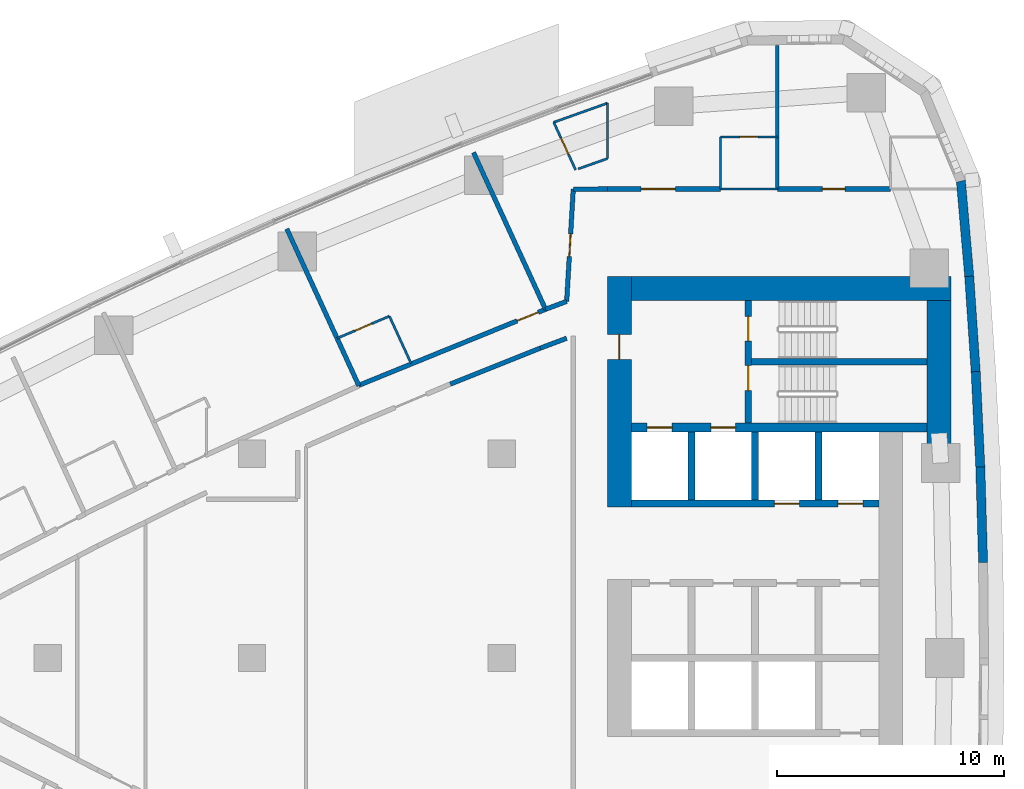
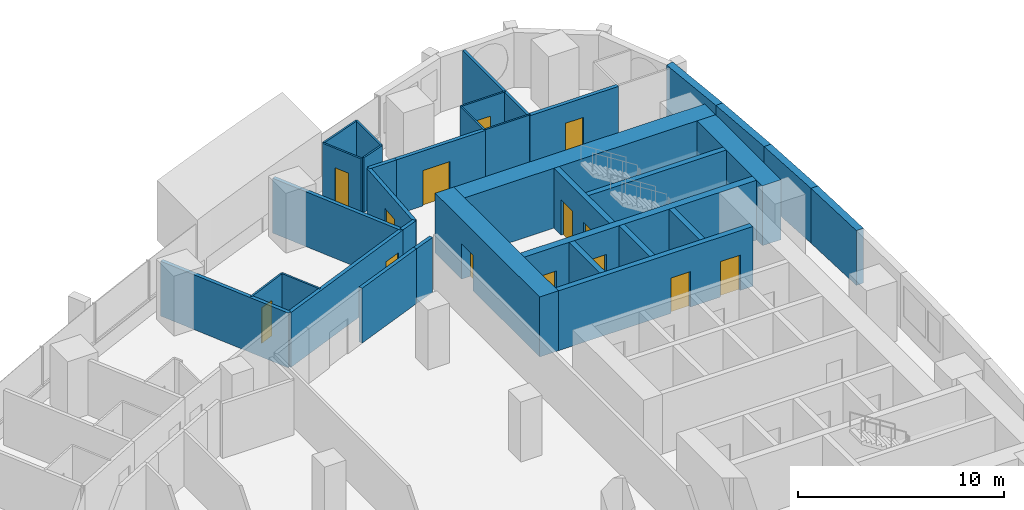
# One storey, part 12 of 17: 34 walls, 14 doors, 14 openings.
"""IFC4 building model written with IfcOpenShell, lengths in metres."""

from ifc_helpers import new_model, si_unit, direction, frame, frame_2d, origin, place, context, subcontext, project, spatial, polyline, rectangle, outline, extrude, material, layer, layer_set, type_object, element, fill, save


model = new_model("IFC4")

# Units and contexts
model_context = context("Model", 3, precision=1e-05, world=origin(), true_north=direction((0.0, 1.0)))
body_context = subcontext(model_context, "Body", "Model", "MODEL_VIEW")
ifc_project = project(units=[si_unit("LENGTHUNIT", "METRE"), si_unit("AREAUNIT", "SQUARE_METRE"), si_unit("VOLUMEUNIT", "CUBIC_METRE"), si_unit("PLANEANGLEUNIT", "RADIAN"), si_unit("MASSUNIT", "GRAM", prefix="KILO")], contexts=[model_context])

# Site, building, storey
site_placement = place(None, origin())
site = spatial("IfcSite", under=ifc_project, at=site_placement, CompositionType="ELEMENT")
building_placement = place(site_placement, origin())
building = spatial("IfcBuilding", under=site, at=building_placement, Name="Ostrand Prow Hotel Tower", CompositionType="ELEMENT")
storey_placement = place(building_placement, frame((0.0, 0.0, 113.300048828125)))
storey = spatial("IfcBuildingStorey", under=building, at=storey_placement, Name="L27", CompositionType="ELEMENT", Elevation=113.300048828125)

# Wall, opening, door
ifc_material_1 = material(Name="Concrete C80/95", Category="concrete")
ifc_layer_1 = layer(ifc_material_1, 1.050048828125)
ifc_layer_set_1 = layer_set([ifc_layer_1], Name="Concrete C80/95")
wall_type_1 = type_object("IfcWallType", Name="Core wall 1050 C80/95", PredefinedType="SHEAR", material=ifc_layer_set_1)
wall_1_placement = place(storey_placement, frame((50.175048828125, 6.64990234375, 0.0), z_axis=(0.0, 0.0, 1.0), x_axis=(0.0, 1.0, 0.0)))
wall_1 = element("IfcWall", 1, at=wall_1_placement, inside=storey, type_object=wall_type_1, Name="Core wall CW-W-N", PredefinedType="SHEAR", context=body_context, shape_type="SweptSolid", body=[
    extrude(rectangle(XDim=10.150146484375, YDim=1.050048828125, at=frame_2d((5.0751953125, 0.0))), origin(), (0.0, 0.0, 1.0), 3.550048828125),
])
opening_1_placement = place(wall_1_placement, frame((6.5, 0.0, 0.0)))
opening_1 = element("IfcOpeningElement", 2, at=opening_1_placement, cuts=wall_1, Name="Opening FD1", PredefinedType="OPENING", context=body_context, shape_type="SweptSolid", body=[
    extrude(rectangle(XDim=1.10009765625, YDim=2.10009765625, at=frame_2d((0.550048828125, 1.050048828125))), frame((0.0, 0.534912109375, 0.0), z_axis=(0.0, -1.0, 0.0), x_axis=(1.0, 0.0, 0.0)), (0.0, 0.0, 1.0), 1.070068359375),
])
ifc_material_2 = material(Name="Steel fire door", Category="steel")
door_type_1 = type_object("IfcDoorType", Name="Fire door 1100 EI120", OperationType="SINGLE_SWING_RIGHT", PredefinedType="DOOR", material=ifc_material_2)
door_1_placement = place(opening_1_placement, origin())
door_1 = element("IfcDoor", 3, at=door_1_placement, inside=storey, type_object=door_type_1, Name="FIRE DOOR", OperationType="SINGLE_SWING_RIGHT", OverallHeight=2.10009765625, OverallWidth=1.10009765625, PredefinedType="DOOR", context=body_context, shape_type="SweptSolid", body=[
    extrude(rectangle(XDim=1.10009765625, YDim=2.10009765625, at=frame_2d((0.550048828125, 1.050048828125))), frame((0.0, 0.02490234375, 0.0), z_axis=(0.0, -1.0, 0.0), x_axis=(1.0, 0.0, 0.0)), (0.0, 0.0, 1.0), 0.050048828125),
])
fill(opening_1, door_1)

# Walls
wall_2_placement = place(storey_placement, frame((50.699951171875, 16.27490234375, 0.0), z_axis=(0.0, 0.0, 1.0), x_axis=(1.0, 0.0, 0.0)))
element("IfcWall", 4, at=wall_2_placement, inside=storey, type_object=wall_type_1, Name="Core wall CW-N", PredefinedType="SHEAR", context=body_context, shape_type="SweptSolid", body=[
    extrude(rectangle(XDim=14.070068359375, YDim=1.050048828125, at=frame_2d((7.03515625, 0.0))), origin(), (0.0, 0.0, 1.0), 3.550048828125),
])
wall_3_placement = place(storey_placement, frame((64.2451171875, 9.388671875, 0.0), z_axis=(0.0, 0.0, 1.0), x_axis=(0.0, 1.0, 0.0)))
element("IfcWall", 5, at=wall_3_placement, inside=storey, type_object=wall_type_1, Name="Core wall CW-E-N", PredefinedType="SHEAR", context=body_context, shape_type="SweptSolid", body=[
    extrude(rectangle(XDim=6.361328125, YDim=1.050048828125, at=frame_2d((3.1806640625, 0.0))), origin(), (0.0, 0.0, 1.0), 3.550048828125),
])

# Wall, openings, doors
ifc_material_3 = material(Name="Concrete C80/95", Category="concrete")
ifc_layer_2 = layer(ifc_material_3, 0.300048828125)
ifc_layer_set_2 = layer_set([ifc_layer_2], Name="Concrete C80/95")
wall_type_2 = type_object("IfcWallType", Name="Core wall 300 C80/95", PredefinedType="SHEAR", material=ifc_layer_set_2)
wall_4_placement = place(storey_placement, frame((50.699951171875, 6.800048828125, 0.0), z_axis=(0.0, 0.0, 1.0), x_axis=(1.0, 0.0, 0.0)))
wall_4 = element("IfcWall", 6, at=wall_4_placement, inside=storey, type_object=wall_type_2, Name="Core wall PW-L2-N", PredefinedType="SHEAR", context=body_context, shape_type="SweptSolid", body=[
    extrude(rectangle(XDim=10.900146484375, YDim=0.300048828125, at=frame_2d((5.4501953125, 0.0))), origin(), (0.0, 0.0, 1.0), 3.550048828125),
])
opening_2_placement = place(wall_4_placement, frame((6.300048828125, 0.0, 0.0)))
opening_2 = element("IfcOpeningElement", 7, at=opening_2_placement, cuts=wall_4, Name="Opening LD", PredefinedType="OPENING", context=body_context, shape_type="SweptSolid", body=[
    extrude(rectangle(XDim=1.10009765625, YDim=2.10009765625, at=frame_2d((0.550048828125, 1.050048828125))), frame((0.0, 0.159912109375, 0.0), z_axis=(0.0, -1.0, 0.0), x_axis=(1.0, 0.0, 0.0)), (0.0, 0.0, 1.0), 0.320068359375),
])
opening_3_placement = place(wall_4_placement, frame((9.10009765625, 0.0, 0.0)))
opening_3 = element("IfcOpeningElement", 8, at=opening_3_placement, cuts=wall_4, Name="Opening LD", PredefinedType="OPENING", context=body_context, shape_type="SweptSolid", body=[
    extrude(rectangle(XDim=1.10009765625, YDim=2.10009765625, at=frame_2d((0.550048828125, 1.050048828125))), frame((0.0, 0.159912109375, 0.0), z_axis=(0.0, -1.0, 0.0), x_axis=(1.0, 0.0, 0.0)), (0.0, 0.0, 1.0), 0.320068359375),
])
ifc_material_4 = material(Name="Stainless steel door", Category="steel")
door_type_2 = type_object("IfcDoorType", Name="Lift landing door 1100", OperationType="DOUBLE_DOOR_SLIDING", PredefinedType="DOOR", material=ifc_material_4)
door_2_placement = place(opening_2_placement, origin())
door_2 = element("IfcDoor", 9, at=door_2_placement, inside=storey, type_object=door_type_2, Name="LIFT LANDING DOOR", OperationType="DOUBLE_DOOR_SLIDING", OverallHeight=2.10009765625, OverallWidth=1.10009765625, PredefinedType="DOOR", context=body_context, shape_type="SweptSolid", body=[
    extrude(rectangle(XDim=1.10009765625, YDim=2.10009765625, at=frame_2d((0.550048828125, 1.050048828125))), frame((0.0, 0.02490234375, 0.0), z_axis=(0.0, -1.0, 0.0), x_axis=(1.0, 0.0, 0.0)), (0.0, 0.0, 1.0), 0.050048828125),
])
fill(opening_2, door_2)
door_3_placement = place(opening_3_placement, origin())
door_3 = element("IfcDoor", 10, at=door_3_placement, inside=storey, type_object=door_type_2, Name="LIFT LANDING DOOR", OperationType="DOUBLE_DOOR_SLIDING", OverallHeight=2.10009765625, OverallWidth=1.10009765625, PredefinedType="DOOR", context=body_context, shape_type="SweptSolid", body=[
    extrude(rectangle(XDim=1.10009765625, YDim=2.10009765625, at=frame_2d((0.550048828125, 1.050048828125))), frame((0.0, 0.02490234375, 0.0), z_axis=(0.0, -1.0, 0.0), x_axis=(1.0, 0.0, 0.0)), (0.0, 0.0, 1.0), 0.050048828125),
])
fill(opening_3, door_3)

# Walls
for number, where, z_axis, x_axis, name in (
    (11, (53.35009765625, 6.949951171875, 0.0), (0.0, 0.0, 1.0), (0.0, 1.0, 0.0), "Core wall PW-R1-NA"),
    (12, (56.14990234375, 6.949951171875, 0.0), (0.0, 0.0, 1.0), (0.0, 1.0, 0.0), "Core wall PW-R2-NA"),
    (13, (58.949951171875, 6.949951171875, 0.0), (0.0, 0.0, 1.0), (0.0, 1.0, 0.0), "Core wall PW-R3-NA"),
):
    element("IfcWall", number, at=place(storey_placement, frame(where, z_axis=z_axis, x_axis=x_axis)), inside=storey, type_object=wall_type_2, Name=name, PredefinedType="SHEAR", context=body_context, shape_type="SweptSolid", body=[
        extrude(rectangle(XDim=3.0, YDim=0.300048828125, at=frame_2d((1.5, 0.0))), origin(), (0.0, 0.0, 1.0), 3.550048828125),
    ])

# Wall, openings, doors
wall_5_placement = place(storey_placement, frame((55.85009765625, 10.35009765625, 0.0), z_axis=(0.0, 0.0, 1.0), x_axis=(0.0, 1.0, 0.0)))
wall_5 = element("IfcWall", 14, at=wall_5_placement, inside=storey, type_object=wall_type_2, Name="Core wall PW-VN", PredefinedType="SHEAR", context=body_context, shape_type="SweptSolid", body=[
    extrude(rectangle(XDim=5.39990234375, YDim=0.300048828125, at=frame_2d((2.699951171875, 0.0))), origin(), (0.0, 0.0, 1.0), 3.550048828125),
])
opening_4_placement = place(wall_5_placement, frame((1.429931640625, 0.0, 0.0)))
opening_4 = element("IfcOpeningElement", 15, at=opening_4_placement, cuts=wall_5, Name="Opening FD1", PredefinedType="OPENING", context=body_context, shape_type="SweptSolid", body=[
    extrude(rectangle(XDim=1.10009765625, YDim=2.10009765625, at=frame_2d((0.550048828125, 1.050048828125))), frame((0.0, 0.159912109375, 0.0), z_axis=(0.0, -1.0, 0.0), x_axis=(1.0, 0.0, 0.0)), (0.0, 0.0, 1.0), 0.320068359375),
])
opening_5_placement = place(wall_5_placement, frame((3.60009765625, 0.0, 0.0)))
opening_5 = element("IfcOpeningElement", 16, at=opening_5_placement, cuts=wall_5, Name="Opening FD1", PredefinedType="OPENING", context=body_context, shape_type="SweptSolid", body=[
    extrude(rectangle(XDim=1.10009765625, YDim=2.10009765625, at=frame_2d((0.550048828125, 1.050048828125))), frame((0.0, 0.159912109375, 0.0), z_axis=(0.0, -1.0, 0.0), x_axis=(1.0, 0.0, 0.0)), (0.0, 0.0, 1.0), 0.320068359375),
])
door_4_placement = place(opening_4_placement, origin())
door_4 = element("IfcDoor", 17, at=door_4_placement, inside=storey, type_object=door_type_1, Name="FIRE DOOR", OperationType="SINGLE_SWING_RIGHT", OverallHeight=2.10009765625, OverallWidth=1.10009765625, PredefinedType="DOOR", context=body_context, shape_type="SweptSolid", body=[
    extrude(rectangle(XDim=1.10009765625, YDim=2.10009765625, at=frame_2d((0.550048828125, 1.050048828125))), frame((0.0, 0.02490234375, 0.0), z_axis=(0.0, -1.0, 0.0), x_axis=(1.0, 0.0, 0.0)), (0.0, 0.0, 1.0), 0.050048828125),
])
fill(opening_4, door_4)
door_5_placement = place(opening_5_placement, origin())
door_5 = element("IfcDoor", 18, at=door_5_placement, inside=storey, type_object=door_type_1, Name="FIRE DOOR", OperationType="SINGLE_SWING_RIGHT", OverallHeight=2.10009765625, OverallWidth=1.10009765625, PredefinedType="DOOR", context=body_context, shape_type="SweptSolid", body=[
    extrude(rectangle(XDim=1.10009765625, YDim=2.10009765625, at=frame_2d((0.550048828125, 1.050048828125))), frame((0.0, 0.02490234375, 0.0), z_axis=(0.0, -1.0, 0.0), x_axis=(1.0, 0.0, 0.0)), (0.0, 0.0, 1.0), 0.050048828125),
])
fill(opening_5, door_5)

# Wall
wall_6_placement = place(storey_placement, frame((56.0, 13.050048828125, 0.0), z_axis=(0.0, 0.0, 1.0), x_axis=(1.0, 0.0, 0.0)))
element("IfcWall", 19, at=wall_6_placement, inside=storey, type_object=wall_type_2, Name="Core wall PW-ST13", PredefinedType="SHEAR", context=body_context, shape_type="SweptSolid", body=[
    extrude(rectangle(XDim=7.719970703125, YDim=0.300048828125, at=frame_2d((3.85986328125, 0.0))), origin(), (0.0, 0.0, 1.0), 3.550048828125),
])

# Wall, openings, doors
ifc_material_5 = material(Name="Concrete C80/95", Category="concrete")
ifc_layer_3 = layer(ifc_material_5, 0.39990234375)
ifc_layer_set_3 = layer_set([ifc_layer_3], Name="Concrete C80/95")
wall_type_3 = type_object("IfcWallType", Name="Core wall 400 C80/95", PredefinedType="SHEAR", material=ifc_layer_set_3)
wall_7_placement = place(storey_placement, frame((50.699951171875, 10.14990234375, 0.0), z_axis=(0.0, 0.0, 1.0), x_axis=(1.0, 0.0, 0.0)))
wall_7 = element("IfcWall", 20, at=wall_7_placement, inside=storey, type_object=wall_type_3, Name="Core wall PW-BN", PredefinedType="SHEAR", context=body_context, shape_type="SweptSolid", body=[
    extrude(rectangle(XDim=13.02001953125, YDim=0.39990234375, at=frame_2d((6.510009765625, 0.0))), origin(), (0.0, 0.0, 1.0), 3.550048828125),
])
opening_6_placement = place(wall_7_placement, frame((0.699951171875, 0.0, 0.0)))
opening_6 = element("IfcOpeningElement", 21, at=opening_6_placement, cuts=wall_7, Name="Opening LD", PredefinedType="OPENING", context=body_context, shape_type="SweptSolid", body=[
    extrude(rectangle(XDim=1.10009765625, YDim=2.10009765625, at=frame_2d((0.550048828125, 1.050048828125))), frame((0.0, 0.2099609375, 0.0), z_axis=(0.0, -1.0, 0.0), x_axis=(1.0, 0.0, 0.0)), (0.0, 0.0, 1.0), 0.419921875),
])
opening_7_placement = place(wall_7_placement, frame((3.5, 0.0, 0.0)))
opening_7 = element("IfcOpeningElement", 22, at=opening_7_placement, cuts=wall_7, Name="Opening LD", PredefinedType="OPENING", context=body_context, shape_type="SweptSolid", body=[
    extrude(rectangle(XDim=1.10009765625, YDim=2.10009765625, at=frame_2d((0.550048828125, 1.050048828125))), frame((0.0, 0.2099609375, 0.0), z_axis=(0.0, -1.0, 0.0), x_axis=(1.0, 0.0, 0.0)), (0.0, 0.0, 1.0), 0.419921875),
])
door_6_placement = place(opening_6_placement, origin())
door_6 = element("IfcDoor", 23, at=door_6_placement, inside=storey, type_object=door_type_2, Name="LIFT LANDING DOOR", OperationType="DOUBLE_DOOR_SLIDING", OverallHeight=2.10009765625, OverallWidth=1.10009765625, PredefinedType="DOOR", context=body_context, shape_type="SweptSolid", body=[
    extrude(rectangle(XDim=1.10009765625, YDim=2.10009765625, at=frame_2d((0.550048828125, 1.050048828125))), frame((0.0, 0.02490234375, 0.0), z_axis=(0.0, -1.0, 0.0), x_axis=(1.0, 0.0, 0.0)), (0.0, 0.0, 1.0), 0.050048828125),
])
fill(opening_6, door_6)
door_7_placement = place(opening_7_placement, origin())
door_7 = element("IfcDoor", 24, at=door_7_placement, inside=storey, type_object=door_type_2, Name="LIFT LANDING DOOR", OperationType="DOUBLE_DOOR_SLIDING", OverallHeight=2.10009765625, OverallWidth=1.10009765625, PredefinedType="DOOR", context=body_context, shape_type="SweptSolid", body=[
    extrude(rectangle(XDim=1.10009765625, YDim=2.10009765625, at=frame_2d((0.550048828125, 1.050048828125))), frame((0.0, 0.02490234375, 0.0), z_axis=(0.0, -1.0, 0.0), x_axis=(1.0, 0.0, 0.0)), (0.0, 0.0, 1.0), 0.050048828125),
])
fill(opening_7, door_7)

# Wall
ifc_material_6 = material(Name="Plasterboard partition")
ifc_layer_4 = layer(ifc_material_6, 0.10009765625)
ifc_layer_set_4 = layer_set([ifc_layer_4], Name="Plasterboard partition")
wall_type_4 = type_object("IfcWallType", Name="Partition 100 bathroom wall", PredefinedType="PARTITIONING", material=ifc_layer_set_4)
wall_8_placement = place(storey_placement, frame((54.630615234375, 20.64990234375, 0.0), z_axis=(0.0, 0.0, 1.0), x_axis=(0.0, 1.0, 0.0)))
element("IfcWall", 25, at=wall_8_placement, inside=storey, type_object=wall_type_4, Name="BATHROOM WALL", PredefinedType="PARTITIONING", context=body_context, shape_type="SweptSolid", body=[
    extrude(rectangle(XDim=2.300048828125, YDim=0.10009765625, at=frame_2d((1.14990234375, 0.0))), origin(), (0.0, 0.0, 1.0), 3.25),
])

# Wall, opening, door
wall_9_placement = place(storey_placement, frame((54.630615234375, 22.949951171875, 0.0), z_axis=(0.0, 0.0, 1.0), x_axis=(1.0, 0.0, 0.0)))
wall_9 = element("IfcWall", 26, at=wall_9_placement, inside=storey, type_object=wall_type_4, Name="BATHROOM WALL", PredefinedType="PARTITIONING", context=body_context, shape_type="SweptSolid", body=[
    extrude(rectangle(XDim=2.5, YDim=0.10009765625, at=frame_2d((1.25, 0.0))), origin(), (0.0, 0.0, 1.0), 3.25),
])
opening_8_placement = place(wall_9_placement, frame((0.85009765625, 0.0, 0.0)))
opening_8 = element("IfcOpeningElement", 27, at=opening_8_placement, cuts=wall_9, Name="Opening D2", PredefinedType="OPENING", context=body_context, shape_type="SweptSolid", body=[
    extrude(rectangle(XDim=0.800048828125, YDim=2.10009765625, at=frame_2d((0.39990234375, 1.050048828125))), frame((0.0, 0.06005859375, 0.0), z_axis=(0.0, -1.0, 0.0), x_axis=(1.0, 0.0, 0.0)), (0.0, 0.0, 1.0), 0.1201171875),
])
ifc_material_7 = material(Name="Timber door leaf", Category="wood")
door_type_3 = type_object("IfcDoorType", Name="Bathroom door 800", OperationType="SINGLE_SWING_LEFT", PredefinedType="DOOR", material=ifc_material_7)
door_8_placement = place(opening_8_placement, origin())
door_8 = element("IfcDoor", 28, at=door_8_placement, inside=storey, type_object=door_type_3, Name="DOOR", OperationType="SINGLE_SWING_LEFT", OverallHeight=2.10009765625, OverallWidth=0.800048828125, PredefinedType="DOOR", context=body_context, shape_type="SweptSolid", body=[
    extrude(rectangle(XDim=0.800048828125, YDim=2.10009765625, at=frame_2d((0.39990234375, 1.050048828125))), frame((0.0, 0.02490234375, 0.0), z_axis=(0.0, -1.0, 0.0), x_axis=(1.0, 0.0, 0.0)), (0.0, 0.0, 1.0), 0.050048828125),
])
fill(opening_8, door_8)

wall_10_placement = place(storey_placement, frame((37.743896484375, 14.07958984375, 0.0), z_axis=(0.0, 0.0, 1.0), x_axis=(0.921042675983, 0.38946166566, 0.0)))
wall_10 = element("IfcWall", 29, at=wall_10_placement, inside=storey, type_object=wall_type_4, Name="BATHROOM WALL", PredefinedType="PARTITIONING", context=body_context, shape_type="SweptSolid", body=[
    extrude(rectangle(XDim=2.501220703125, YDim=0.10009765625, at=frame_2d((1.25048828125, 0.0))), origin(), (0.0, 0.0, 1.0), 3.25),
])
opening_9_placement = place(wall_10_placement, frame((0.85009765625, 0.0, 0.0)))
opening_9 = element("IfcOpeningElement", 30, at=opening_9_placement, cuts=wall_10, Name="Opening D2", PredefinedType="OPENING", context=body_context, shape_type="SweptSolid", body=[
    extrude(rectangle(XDim=0.800048828125, YDim=2.10009765625, at=frame_2d((0.39990234375, 1.050048828125))), frame((0.0, 0.06005859375, 0.0), z_axis=(0.0, -1.0, 0.0), x_axis=(1.0, 0.0, 0.0)), (0.0, 0.0, 1.0), 0.1201171875),
])
door_9_placement = place(opening_9_placement, origin())
door_9 = element("IfcDoor", 31, at=door_9_placement, inside=storey, type_object=door_type_3, Name="DOOR", OperationType="SINGLE_SWING_LEFT", OverallHeight=2.10009765625, OverallWidth=0.800048828125, PredefinedType="DOOR", context=body_context, shape_type="SweptSolid", body=[
    extrude(rectangle(XDim=0.800048828125, YDim=2.10009765625, at=frame_2d((0.39990234375, 1.050048828125))), frame((0.0, 0.02490234375, 0.0), z_axis=(0.0, -1.0, 0.0), x_axis=(1.0, 0.0, 0.0)), (0.0, 0.0, 1.0), 0.050048828125),
])
fill(opening_9, door_9)

# Walls
wall_11_placement = place(storey_placement, frame((40.047607421875, 15.0537109375, 0.0), z_axis=(0.0, 0.0, 1.0), x_axis=(0.417433204355, -0.908707609686, 0.0)))
element("IfcWall", 32, at=wall_11_placement, inside=storey, type_object=wall_type_4, Name="BATHROOM WALL", PredefinedType="PARTITIONING", context=body_context, shape_type="SweptSolid", body=[
    extrude(rectangle(XDim=2.278076171875, YDim=0.10009765625, at=frame_2d((1.13916015625, 0.0))), origin(), (0.0, 0.0, 1.0), 3.25),
])
wall_12_placement = place(storey_placement, frame((49.64990234375, 21.99560546875, 0.0), z_axis=(0.0, 0.0, 1.0), x_axis=(-0.942692856107, -0.333661773425, 0.0)))
element("IfcWall", 33, at=wall_12_placement, inside=storey, type_object=wall_type_4, Name="BATHROOM WALL", PredefinedType="PARTITIONING", context=body_context, shape_type="SweptSolid", body=[
    extrude(rectangle(XDim=1.365234375, YDim=0.10009765625, at=frame_2d((0.6826171875, 0.0))), origin(), (0.0, 0.0, 1.0), 3.25),
])

# Wall, opening, door
wall_13_placement = place(storey_placement, frame((48.24853515625, 21.4970703125, 0.0), z_axis=(0.0, 0.0, 1.0), x_axis=(-0.41749308293, 0.908680100864, 0.0)))
wall_13 = element("IfcWall", 34, at=wall_13_placement, inside=storey, type_object=wall_type_4, Name="BATHROOM WALL", PredefinedType="PARTITIONING", context=body_context, shape_type="SweptSolid", body=[
    extrude(rectangle(XDim=2.3056640625, YDim=0.10009765625, at=frame_2d((1.15283203125, 0.0))), origin(), (0.0, 0.0, 1.0), 3.25),
])
opening_10_placement = place(wall_13_placement, frame((0.75, 0.0, 0.0)))
opening_10 = element("IfcOpeningElement", 35, at=opening_10_placement, cuts=wall_13, Name="Opening D2", PredefinedType="OPENING", context=body_context, shape_type="SweptSolid", body=[
    extrude(rectangle(XDim=0.800048828125, YDim=2.10009765625, at=frame_2d((0.39990234375, 1.050048828125))), frame((0.0, 0.06005859375, 0.0), z_axis=(0.0, -1.0, 0.0), x_axis=(1.0, 0.0, 0.0)), (0.0, 0.0, 1.0), 0.1201171875),
])
door_10_placement = place(opening_10_placement, origin())
door_10 = element("IfcDoor", 36, at=door_10_placement, inside=storey, type_object=door_type_3, Name="DOOR", OperationType="SINGLE_SWING_LEFT", OverallHeight=2.10009765625, OverallWidth=0.800048828125, PredefinedType="DOOR", context=body_context, shape_type="SweptSolid", body=[
    extrude(rectangle(XDim=0.800048828125, YDim=2.10009765625, at=frame_2d((0.39990234375, 1.050048828125))), frame((0.0, 0.02490234375, 0.0), z_axis=(0.0, -1.0, 0.0), x_axis=(1.0, 0.0, 0.0)), (0.0, 0.0, 1.0), 0.050048828125),
])
fill(opening_10, door_10)

# Walls
wall_14_placement = place(storey_placement, frame((57.130615234375, 20.655029296875, 0.0), z_axis=(0.0, 0.0, 1.0), x_axis=(-1.0, 0.0, 0.0)))
element("IfcWall", 37, at=wall_14_placement, inside=storey, type_object=wall_type_4, Name="BATHROOM WALL", PredefinedType="PARTITIONING", context=body_context, shape_type="SweptSolid", body=[
    extrude(rectangle(XDim=2.5, YDim=0.10009765625, at=frame_2d((1.25, 0.0))), origin(), (0.0, 0.0, 1.0), 3.25),
])
wall_15_placement = place(storey_placement, frame((47.285888671875, 23.59228515625, 0.0), z_axis=(0.0, 0.0, 1.0), x_axis=(0.941933231826, 0.335800218555, 0.0)))
element("IfcWall", 38, at=wall_15_placement, inside=storey, type_object=wall_type_4, Name="BATHROOM WALL", PredefinedType="PARTITIONING", context=body_context, shape_type="SweptSolid", body=[
    extrude(rectangle(XDim=2.509765625, YDim=0.10009765625, at=frame_2d((1.2548828125, 0.0))), origin(), (0.0, 0.0, 1.0), 3.25),
])
wall_16_placement = place(storey_placement, frame((49.64990234375, 24.43505859375, 0.0), z_axis=(0.0, 0.0, 1.0), x_axis=(0.0, -1.0, 0.0)))
element("IfcWall", 39, at=wall_16_placement, inside=storey, type_object=wall_type_4, Name="BATHROOM WALL", PredefinedType="PARTITIONING", context=body_context, shape_type="SweptSolid", body=[
    extrude(rectangle(XDim=2.439453125, YDim=0.10009765625, at=frame_2d((1.2197265625, 0.0))), origin(), (0.0, 0.0, 1.0), 3.25),
])
ifc_material_8 = material(Name="Plasterboard partition")
ifc_layer_5 = layer(ifc_material_8, 0.14990234375)
ifc_layer_set_5 = layer_set([ifc_layer_5], Name="Plasterboard partition")
wall_type_5 = type_object("IfcWallType", Name="Partition 150 room partition", PredefinedType="PARTITIONING", material=ifc_layer_set_5)
wall_17_placement = place(storey_placement, frame((57.130615234375, 20.64990234375, 0.0), z_axis=(0.0, 0.0, 1.0), x_axis=(0.0, 1.0, 0.0)))
element("IfcWall", 40, at=wall_17_placement, inside=storey, type_object=wall_type_5, Name="ROOM PARTITION", PredefinedType="PARTITIONING", context=body_context, shape_type="SweptSolid", body=[
    extrude(rectangle(XDim=6.3291015625, YDim=0.14990234375, at=frame_2d((3.16455078125, 0.0))), origin(), (0.0, 0.0, 1.0), 3.25),
])

# Wall, opening, door
ifc_material_9 = material(Name="Plasterboard partition")
ifc_layer_6 = layer(ifc_material_9, 0.199951171875)
ifc_layer_set_6 = layer_set([ifc_layer_6], Name="Plasterboard partition")
wall_type_6 = type_object("IfcWallType", Name="Partition 200 corridor wall", PredefinedType="PARTITIONING", material=ifc_layer_set_6)
wall_18_placement = place(storey_placement, frame((46.92431640625, 15.356689453125, 0.0), z_axis=(0.0, 0.0, 1.0), x_axis=(-0.926186929429, -0.377064678477, 0.0)))
wall_18 = element("IfcWall", 41, at=wall_18_placement, inside=storey, type_object=wall_type_6, Name="CORRIDOR WALL", PredefinedType="PARTITIONING", context=body_context, shape_type="SweptSolid", body=[
    extrude(rectangle(XDim=8.884033203125, YDim=0.199951171875, at=frame_2d((4.44189453125, 0.0))), origin(), (0.0, 0.0, 1.0), 3.25),
])
opening_11_placement = place(wall_18_placement, frame((0.35009765625, 0.0, 0.0)))
opening_11 = element("IfcOpeningElement", 42, at=opening_11_placement, cuts=wall_18, Name="Opening D1", PredefinedType="OPENING", context=body_context, shape_type="SweptSolid", body=[
    extrude(rectangle(XDim=1.0, YDim=2.10009765625, at=frame_2d((0.5, 1.050048828125))), frame((0.0, 0.10986328125, 0.0), z_axis=(0.0, -1.0, 0.0), x_axis=(1.0, 0.0, 0.0)), (0.0, 0.0, 1.0), 0.219970703125),
])
ifc_material_10 = material(Name="Timber door leaf", Category="wood")
door_type_4 = type_object("IfcDoorType", Name="Guest room door 1000", OperationType="SINGLE_SWING_LEFT", PredefinedType="DOOR", material=ifc_material_10)
door_11_placement = place(opening_11_placement, origin())
door_11 = element("IfcDoor", 43, at=door_11_placement, inside=storey, type_object=door_type_4, Name="DOOR", OperationType="SINGLE_SWING_LEFT", OverallHeight=2.10009765625, OverallWidth=1.0, PredefinedType="DOOR", context=body_context, shape_type="SweptSolid", body=[
    extrude(rectangle(XDim=1.0, YDim=2.10009765625, at=frame_2d((0.5, 1.050048828125))), frame((0.0, 0.02490234375, 0.0), z_axis=(0.0, -1.0, 0.0), x_axis=(1.0, 0.0, 0.0)), (0.0, 0.0, 1.0), 0.050048828125),
])
fill(opening_11, door_11)

# Wall
wall_19_placement = place(storey_placement, frame((42.727783203125, 12.0615234375, 0.0), z_axis=(0.0, 0.0, 1.0), x_axis=(0.928638161177, 0.370986745864, 0.0)))
element("IfcWall", 44, at=wall_19_placement, inside=storey, type_object=wall_type_6, Name="CORRIDOR WALL", PredefinedType="PARTITIONING", context=body_context, shape_type="SweptSolid", body=[
    extrude(rectangle(XDim=4.27294921875, YDim=0.199951171875, at=frame_2d((2.136474609375, 0.0))), origin(), (0.0, 0.0, 1.0), 3.25),
])

# Wall, opening, door
wall_20_placement = place(storey_placement, frame((54.62548828125, 20.655029296875, 0.0), z_axis=(0.0, 0.0, 1.0), x_axis=(-1.0, 0.0, 0.0)))
wall_20 = element("IfcWall", 45, at=wall_20_placement, inside=storey, type_object=wall_type_6, Name="CORRIDOR WALL", PredefinedType="PARTITIONING", context=body_context, shape_type="SweptSolid", body=[
    extrude(rectangle(XDim=4.9755859375, YDim=0.199951171875, at=frame_2d((2.48779296875, 0.0))), origin(), (0.0, 0.0, 1.0), 3.25),
])
opening_12_placement = place(wall_20_placement, frame((1.98779296875, 0.0, 0.0)))
opening_12 = element("IfcOpeningElement", 46, at=opening_12_placement, cuts=wall_20, Name="Opening D15", PredefinedType="OPENING", context=body_context, shape_type="SweptSolid", body=[
    extrude(rectangle(XDim=1.5, YDim=2.10009765625, at=frame_2d((0.75, 1.050048828125))), frame((0.0, 0.10986328125, 0.0), z_axis=(0.0, -1.0, 0.0), x_axis=(1.0, 0.0, 0.0)), (0.0, 0.0, 1.0), 0.219970703125),
])
ifc_material_11 = material(Name="Timber door leaf", Category="wood")
door_type_5 = type_object("IfcDoorType", Name="Double door 1500", OperationType="DOUBLE_DOOR_SINGLE_SWING", PredefinedType="DOOR", material=ifc_material_11)
door_12_placement = place(opening_12_placement, origin())
door_12 = element("IfcDoor", 47, at=door_12_placement, inside=storey, type_object=door_type_5, Name="DOOR", OperationType="DOUBLE_DOOR_SINGLE_SWING", OverallHeight=2.10009765625, OverallWidth=1.5, PredefinedType="DOOR", context=body_context, shape_type="SweptSolid", body=[
    extrude(rectangle(XDim=1.5, YDim=2.10009765625, at=frame_2d((0.75, 1.050048828125))), frame((0.0, 0.02490234375, 0.0), z_axis=(0.0, -1.0, 0.0), x_axis=(1.0, 0.0, 0.0)), (0.0, 0.0, 1.0), 0.050048828125),
])
fill(opening_12, door_12)

wall_21_placement = place(storey_placement, frame((62.106201171875, 20.655029296875, 0.0), z_axis=(0.0, 0.0, 1.0), x_axis=(-1.0, 0.0, 0.0)))
wall_21 = element("IfcWall", 48, at=wall_21_placement, inside=storey, type_object=wall_type_6, Name="CORRIDOR WALL", PredefinedType="PARTITIONING", context=body_context, shape_type="SweptSolid", body=[
    extrude(rectangle(XDim=4.970703125, YDim=0.199951171875, at=frame_2d((2.4853515625, 0.0))), origin(), (0.0, 0.0, 1.0), 3.25),
])
opening_13_placement = place(wall_21_placement, frame((1.9853515625, 0.0, 0.0)))
opening_13 = element("IfcOpeningElement", 49, at=opening_13_placement, cuts=wall_21, Name="Opening D1", PredefinedType="OPENING", context=body_context, shape_type="SweptSolid", body=[
    extrude(rectangle(XDim=1.0, YDim=2.10009765625, at=frame_2d((0.5, 1.050048828125))), frame((0.0, 0.10986328125, 0.0), z_axis=(0.0, -1.0, 0.0), x_axis=(1.0, 0.0, 0.0)), (0.0, 0.0, 1.0), 0.219970703125),
])
door_13_placement = place(opening_13_placement, origin())
door_13 = element("IfcDoor", 50, at=door_13_placement, inside=storey, type_object=door_type_4, Name="DOOR", OperationType="SINGLE_SWING_LEFT", OverallHeight=2.10009765625, OverallWidth=1.0, PredefinedType="DOOR", context=body_context, shape_type="SweptSolid", body=[
    extrude(rectangle(XDim=1.0, YDim=2.10009765625, at=frame_2d((0.5, 1.050048828125))), frame((0.0, 0.02490234375, 0.0), z_axis=(0.0, -1.0, 0.0), x_axis=(1.0, 0.0, 0.0)), (0.0, 0.0, 1.0), 0.050048828125),
])
fill(opening_13, door_13)

# Walls
wall_22_placement = place(storey_placement, frame((47.85498046875, 15.707275390625, 0.0), z_axis=(0.0, 0.0, 1.0), x_axis=(-0.935803526171, -0.35252199989, 0.0)))
element("IfcWall", 51, at=wall_22_placement, inside=storey, type_object=wall_type_6, Name="CORRIDOR WALL", PredefinedType="PARTITIONING", context=body_context, shape_type="SweptSolid", body=[
    extrude(rectangle(XDim=0.99462890625, YDim=0.199951171875, at=frame_2d((0.497314453125, 0.0))), origin(), (0.0, 0.0, 1.0), 3.25),
])
wall_23_placement = place(storey_placement, frame((46.69580078125, 13.646728515625, 0.0), z_axis=(0.0, 0.0, 1.0), x_axis=(0.935907269358, 0.352246480696, 0.0)))
element("IfcWall", 52, at=wall_23_placement, inside=storey, type_object=wall_type_6, Name="CORRIDOR WALL", PredefinedType="PARTITIONING", context=body_context, shape_type="SweptSolid", body=[
    extrude(rectangle(XDim=1.238525390625, YDim=0.199951171875, at=frame_2d((0.619140625, 0.0))), origin(), (0.0, 0.0, 1.0), 3.25),
])

# Wall, opening, door
wall_24_placement = place(storey_placement, frame((48.1455078125, 20.65234375, 0.0), z_axis=(0.0, 0.0, 1.0), x_axis=(-0.058649792989, -0.998278619315, 0.0)))
wall_24 = element("IfcWall", 53, at=wall_24_placement, inside=storey, type_object=wall_type_6, Name="CORRIDOR WALL", PredefinedType="PARTITIONING", context=body_context, shape_type="SweptSolid", body=[
    extrude(rectangle(XDim=4.95361328125, YDim=0.199951171875, at=frame_2d((2.476806640625, 0.0))), origin(), (0.0, 0.0, 1.0), 3.25),
])
opening_14_placement = place(wall_24_placement, frame((1.97705078125, 0.0, 0.0)))
opening_14 = element("IfcOpeningElement", 54, at=opening_14_placement, cuts=wall_24, Name="Opening D1R", PredefinedType="OPENING", context=body_context, shape_type="SweptSolid", body=[
    extrude(rectangle(XDim=1.0, YDim=2.10009765625, at=frame_2d((0.5, 1.050048828125))), frame((0.0, 0.10986328125, 0.0), z_axis=(0.0, -1.0, 0.0), x_axis=(1.0, 0.0, 0.0)), (0.0, 0.0, 1.0), 0.219970703125),
])
ifc_material_12 = material(Name="Timber door leaf", Category="wood")
door_type_6 = type_object("IfcDoorType", Name="Guest room door 1000 right", OperationType="SINGLE_SWING_RIGHT", PredefinedType="DOOR", material=ifc_material_12)
door_14_placement = place(opening_14_placement, origin())
door_14 = element("IfcDoor", 55, at=door_14_placement, inside=storey, type_object=door_type_6, Name="DOOR", OperationType="SINGLE_SWING_RIGHT", OverallHeight=2.10009765625, OverallWidth=1.0, PredefinedType="DOOR", context=body_context, shape_type="SweptSolid", body=[
    extrude(rectangle(XDim=1.0, YDim=2.10009765625, at=frame_2d((0.5, 1.050048828125))), frame((0.0, 0.02490234375, 0.0), z_axis=(0.0, -1.0, 0.0), x_axis=(1.0, 0.0, 0.0)), (0.0, 0.0, 1.0), 0.050048828125),
])
fill(opening_14, door_14)

# Walls
wall_25_placement = place(storey_placement, frame((49.64990234375, 20.655029296875, 0.0), z_axis=(0.0, 0.0, 1.0), x_axis=(-0.999998406651, -0.001785131852, 0.0)))
element("IfcWall", 56, at=wall_25_placement, inside=storey, type_object=wall_type_6, Name="CORRIDOR WALL", PredefinedType="PARTITIONING", context=body_context, shape_type="SweptSolid", body=[
    extrude(rectangle(XDim=1.50439453125, YDim=0.199951171875, at=frame_2d((0.752197265625, 0.0))), origin(), (0.0, 0.0, 1.0), 3.25),
])
ifc_material_13 = material(Name="Plasterboard partition")
ifc_layer_7 = layer(ifc_material_13, 0.199951171875)
ifc_layer_set_7 = layer_set([ifc_layer_7], Name="Plasterboard partition")
wall_type_7 = type_object("IfcWallType", Name="Partition 200 key partition", PredefinedType="PARTITIONING", material=ifc_layer_set_7)
wall_26_placement = place(storey_placement, frame((38.704345703125, 11.988525390625, 0.0), z_axis=(0.0, 0.0, 1.0), x_axis=(-0.417416334044, 0.908715359215, 0.0)))
element("IfcWall", 57, at=wall_26_placement, inside=storey, type_object=wall_type_7, Name="KEY PARTITION", PredefinedType="PARTITIONING", context=body_context, shape_type="SweptSolid", body=[
    extrude(rectangle(XDim=7.603515625, YDim=0.199951171875, at=frame_2d((3.8017578125, 0.0))), origin(), (0.0, 0.0, 1.0), 3.25),
])
wall_27_placement = place(storey_placement, frame((46.9326171875, 15.338623046875, 0.0), z_axis=(0.0, 0.0, 1.0), x_axis=(-0.417437957167, 0.908705426371, 0.0)))
element("IfcWall", 58, at=wall_27_placement, inside=storey, type_object=wall_type_7, Name="KEY PARTITION", PredefinedType="PARTITIONING", context=body_context, shape_type="SweptSolid", body=[
    extrude(rectangle(XDim=7.618896484375, YDim=0.199951171875, at=frame_2d((3.8095703125, 0.0))), origin(), (0.0, 0.0, 1.0), 3.25),
])
ifc_material_14 = material(Name="Precast concrete C40/50", Category="concrete")
ifc_layer_8 = layer(ifc_material_14, 0.39990234375)
ifc_layer_set_8 = layer_set([ifc_layer_8], Name="Precast concrete C40/50")
wall_type_8 = type_object("IfcWallType", Name="Stone-faced precast wall 400 mm", PredefinedType="NOTDEFINED", material=ifc_layer_set_8)
for number, where, z_axis, x_axis, name in (
    (59, (66.193603515625, 4.20654296875, 0.0), (0.0, 0.0, 1.0), (-0.02901703777, 0.999578917104, 0.0), "Stone-faced wall back 11"),
    (60, (66.071533203125, 8.41162109375, 0.0), (0.0, 0.0, 1.0), (-0.048342691508, 0.998830808585, 0.0), "Stone-faced wall back 12"),
):
    element("IfcWall", number, at=place(storey_placement, frame(where, z_axis=z_axis, x_axis=x_axis)), inside=storey, type_object=wall_type_8, Name=name, PredefinedType="NOTDEFINED", context=body_context, shape_type="SweptSolid", body=[
        extrude(outline(polyline([(-0.001953125, -0.199951171875), (4.208740234375, -0.199951171875), (4.204833984375, 0.199951171875), (0.001953125, 0.199951171875), (-0.001953125, -0.199951171875)])), origin(), (0.0, 0.0, 1.0), 3.25),
    ])
wall_28_placement = place(storey_placement, frame((65.8681640625, 12.613525390625, 0.0), z_axis=(0.0, 0.0, 1.0), x_axis=(-0.067724559895, 0.997704056315, 0.0)))
element("IfcWall", 61, at=wall_28_placement, inside=storey, type_object=wall_type_8, Name="Stone-faced wall back 13", PredefinedType="NOTDEFINED", context=body_context, shape_type="SweptSolid", body=[
    extrude(outline(polyline([(-0.001953125, -0.199951171875), (4.208984375, -0.199951171875), (4.205078125, 0.199951171875), (0.001953125, 0.199951171875), (-0.001953125, -0.199951171875)])), origin(), (0.0, 0.0, 1.0), 3.25),
])
wall_29_placement = place(storey_placement, frame((65.583251953125, 16.810791015625, 0.0), z_axis=(0.0, 0.0, 1.0), x_axis=(-0.086992730434, 0.996208946382, 0.0)))
element("IfcWall", 62, at=wall_29_placement, inside=storey, type_object=wall_type_8, Name="Stone-faced wall back 14", PredefinedType="NOTDEFINED", context=body_context, shape_type="SweptSolid", body=[
    extrude(outline(polyline([(-0.001953125, -0.199951171875), (4.23779296875, -0.199951171875), (4.17578125, 0.199951171875), (0.001953125, 0.199951171875), (-0.001953125, -0.199951171875)])), origin(), (0.0, 0.0, 1.0), 3.25),
])

save(model, "model.ifc")
